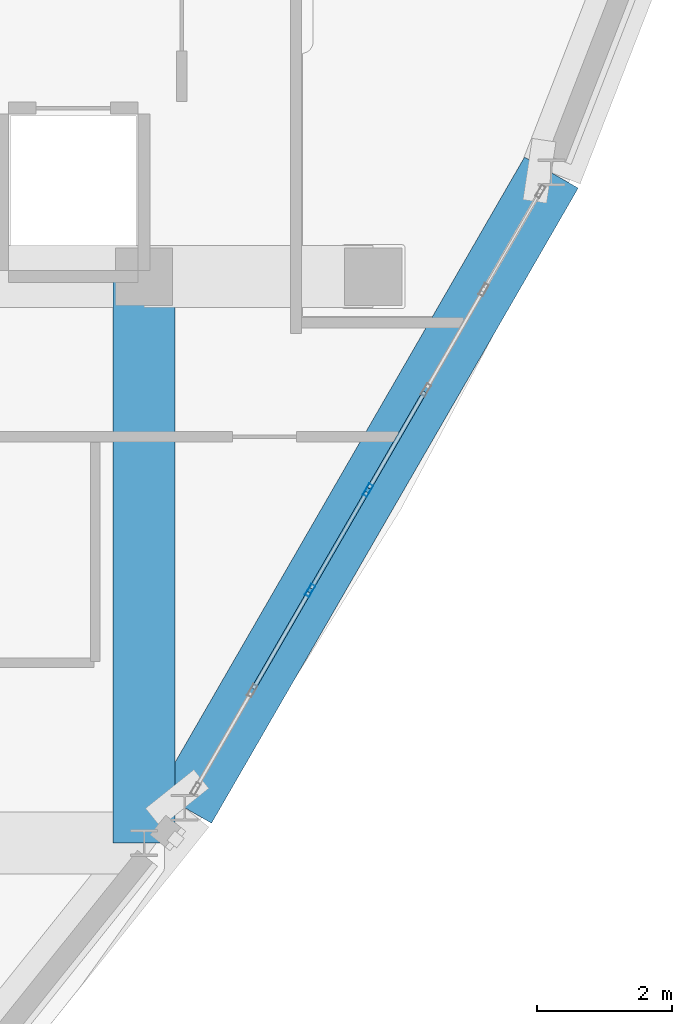
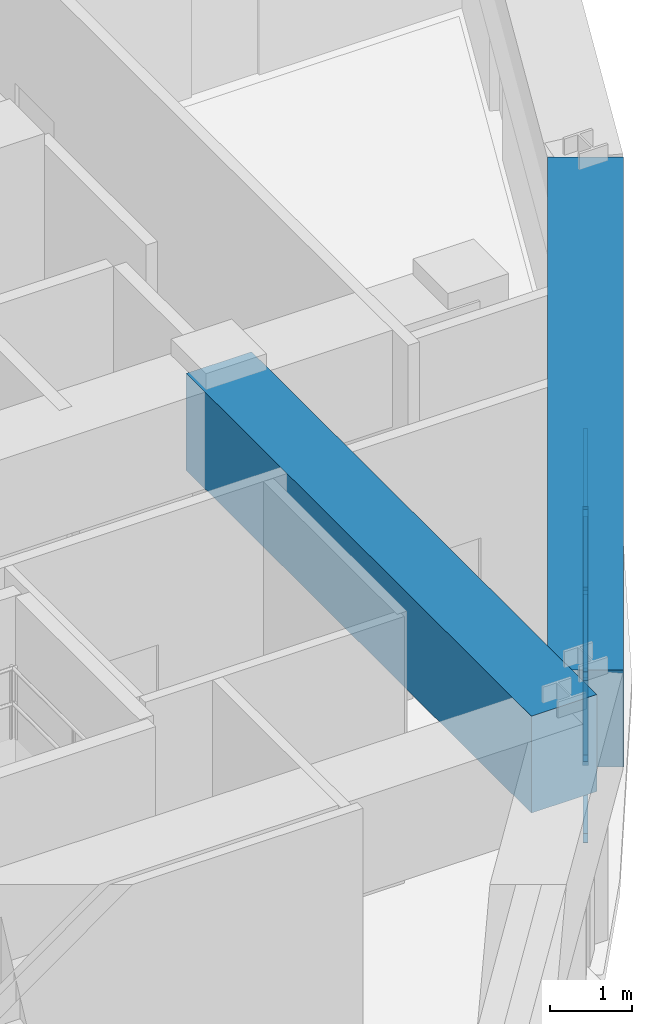
# One storey, part 4 of 16: 9 members, 2 beams, 1 element without a shape of its own.
"""IFC4 building model written with IfcOpenShell, lengths in metres."""

from ifc_helpers import new_model, si_unit, derived_unit, direction, frame, origin, origin_2d, place, context, subcontext, project, spatial, rectangle, hollow_rectangle, extrude, source, transform, mapped, material, layer, layer_set, material_profile, profile_set, type_object, element, aggregate, save


model = new_model("IFC4")

# Units and contexts
model_context = context("Model", 3, precision=1e-05, world=origin(), true_north=direction((0.0, 1.0)))
body_context = subcontext(model_context, "Body", "Model", "MODEL_VIEW")
ifc_project = project(units=[si_unit("LENGTHUNIT", "METRE"), si_unit("AREAUNIT", "SQUARE_METRE"), si_unit("VOLUMEUNIT", "CUBIC_METRE"), si_unit("PLANEANGLEUNIT", "RADIAN"), si_unit("MASSUNIT", "GRAM", prefix="KILO"), derived_unit("THERMALTRANSMITTANCEUNIT", [(si_unit("POWERUNIT", "WATT"), 1), (si_unit("LENGTHUNIT", "METRE"), -2), (si_unit("THERMODYNAMICTEMPERATUREUNIT", "KELVIN"), -1)])], contexts=[model_context])

# Site, building, storey
site_placement = place(None, origin())
site = spatial("IfcSite", under=ifc_project, at=site_placement, CompositionType="ELEMENT")
building_placement = place(site_placement, origin())
building = spatial("IfcBuilding", under=site, at=building_placement, Name="Korsvarv Bourse and Concert Hall", CompositionType="ELEMENT")
storey_placement = place(building_placement, frame((0.0, 0.0, 283.800048828125)))
storey = spatial("IfcBuildingStorey", under=building, at=storey_placement, Name="L74", CompositionType="ELEMENT", Elevation=283.800048828125)

# Beams
ifc_material_1 = material(Name="Concrete C50/60", Category="concrete")
ifc_material_profile_1 = material_profile(ifc_material_1, rectangle(XDim=0.919921875, YDim=1.43994140625, at=origin_2d()), Name="RC-BM 920x1440")
ifc_profile_set_1 = profile_set([ifc_material_profile_1], Name="Concrete C50/60")
beam_type = type_object("IfcBeamType", Name="BM-TR-144", PredefinedType="BEAM", material=ifc_profile_set_1)
shared_shape_1 = source(origin(), body_context, "Body", "SweptSolid", [
    extrude(rectangle(XDim=0.919921875, YDim=1.43994140625, at=origin_2d()), origin(), (0.0, 0.0, 1.0), 8.39990234375),
])
beam_1_placement = place(storey_placement, frame((44.39990234375, 24.0, 3.239990234375), z_axis=(0.0, 1.0, 0.0), x_axis=(-1.0, 0.0, 0.0)))
element("IfcBeam", 1, at=beam_1_placement, inside=storey, type_object=beam_type, Name="L74 beam B-TR4", PredefinedType="BEAM", context=body_context, shape_type="MappedRepresentation", body=[
    mapped(shared_shape_1, transform((0.0, 0.0, 0.0), scale=1.0)),
])
shared_shape_2 = source(origin(), body_context, "Body", "SweptSolid", [
    extrude(rectangle(XDim=0.919921875, YDim=1.43994140625, at=origin_2d()), origin(), (0.0, 0.0, 1.0), 10.8798828125),
])
beam_2_placement = place(storey_placement, frame((45.00244140625, 24.52099609375, 3.239990234375), z_axis=(0.500005403421, 0.866022284096, 0.0), x_axis=(-0.866022284096, 0.500005403421, 0.0)))
element("IfcBeam", 2, at=beam_2_placement, inside=storey, type_object=beam_type, Name="L74 beam B-TR4", PredefinedType="BEAM", context=body_context, shape_type="MappedRepresentation", body=[
    mapped(shared_shape_2, transform((0.0, 0.0, 0.0), scale=1.0)),
])

# Curtain wall, members
ifc_material_2 = material(Name="Anodised aluminium and triple low-E glazing", Category="glass")
ifc_layer = layer(ifc_material_2, 0.18994140625)
ifc_layer_set = layer_set([ifc_layer], Name="Anodised aluminium and triple low-E glazing")
curtain_wall_type = type_object("IfcCurtainWallType", Name="CW-SYS-4", PredefinedType="NOTDEFINED", material=ifc_layer_set)
curtain_wall_placement = place(storey_placement, origin())
curtain_wall = element("IfcCurtainWall", 3, at=curtain_wall_placement, inside=storey, type_object=curtain_wall_type, Name="L74 CW4 curtain wall CW-L74-F11", PredefinedType="NOTDEFINED")
ifc_material_3 = material(Name="Extruded aluminium EN AW-6063 T66", Category="aluminium")
ifc_material_profile_2 = material_profile(ifc_material_3, hollow_rectangle(XDim=0.070068359375, YDim=0.18994140625, WallThickness=0.0048828125, at=origin_2d()), Name="ALU-M 70x190")
ifc_profile_set_2 = profile_set([ifc_material_profile_2], Name="Extruded aluminium EN AW-6063 T66")
member_type_1 = type_object("IfcMemberType", Name="CWM-190", PredefinedType="MULLION", material=ifc_profile_set_2)
shared_shape_3 = source(origin(), body_context, "Body", "SweptSolid", [
    extrude(hollow_rectangle(XDim=0.070068359375, YDim=0.18994140625, WallThickness=0.0048828125, at=origin_2d()), origin(), (0.0, 0.0, 1.0), 2.52001953125),
])
member_1_placement = place(storey_placement, frame((46.86376953125, 27.744873046875, 0.0), z_axis=(0.0, 0.0, 1.0), x_axis=(-0.866027681029, 0.499996055676, 0.0)))
member_1 = element("IfcMember", 4, at=member_1_placement, type_object=member_type_1, Name="CW4 mullion 3", PredefinedType="MULLION", context=body_context, shape_type="MappedRepresentation", body=[
    mapped(shared_shape_3, transform((0.0, 0.0, 0.0), scale=1.0)),
])
member_2_placement = place(storey_placement, frame((47.722412109375, 29.23193359375, 0.0), z_axis=(0.0, 0.0, 1.0), x_axis=(-0.866027681029, 0.499996055676, 0.0)))
member_2 = element("IfcMember", 5, at=member_2_placement, type_object=member_type_1, Name="CW4 mullion 4", PredefinedType="MULLION", context=body_context, shape_type="MappedRepresentation", body=[
    mapped(shared_shape_3, transform((0.0, 0.0, 0.0), scale=1.0)),
])
ifc_material_profile_3 = material_profile(ifc_material_3, hollow_rectangle(XDim=0.06494140625, YDim=0.139892578125, WallThickness=0.00390625, at=origin_2d()), Name="ALU-T 65x140")
ifc_profile_set_3 = profile_set([ifc_material_profile_3], Name="Extruded aluminium EN AW-6063 T66")
member_type_2 = type_object("IfcMemberType", Name="CWT-140", PredefinedType="USERDEFINED", material=ifc_profile_set_3)
shared_shape_4 = source(origin(), body_context, "Body", "SweptSolid", [
    extrude(hollow_rectangle(XDim=0.06494140625, YDim=0.139892578125, WallThickness=0.00390625, at=origin_2d()), origin(), (0.0, 0.0, 1.0), 1.647216796875),
])
member_3_placement = place(storey_placement, frame((46.022705078125, 26.2880859375, 0.032470703125), z_axis=(0.500060288043, 0.865990593668, 0.0), x_axis=(-0.865990593668, 0.500060288043, 0.0)))
member_3 = element("IfcMember", 6, at=member_3_placement, type_object=member_type_2, Name="CW4 transom 2.1", ObjectType="TRANSOM", PredefinedType="USERDEFINED", context=body_context, shape_type="MappedRepresentation", body=[
    mapped(shared_shape_4, transform((0.0, 0.0, 0.0), scale=1.0)),
])
member_4_placement = place(storey_placement, frame((46.022705078125, 26.2880859375, 2.487548828125), z_axis=(0.500060288043, 0.865990593668, 0.0), x_axis=(-0.865990593668, 0.500060288043, 0.0)))
member_4 = element("IfcMember", 7, at=member_4_placement, type_object=member_type_2, Name="CW4 transom 2.2", ObjectType="TRANSOM", PredefinedType="USERDEFINED", context=body_context, shape_type="MappedRepresentation", body=[
    mapped(shared_shape_4, transform((0.0, 0.0, 0.0), scale=1.0)),
])
member_5_placement = place(storey_placement, frame((46.88134765625, 27.775146484375, 0.032470703125), z_axis=(0.499949127178, 0.86605477323, 0.0), x_axis=(-0.86605477323, 0.499949127178, 0.0)))
member_5 = element("IfcMember", 8, at=member_5_placement, type_object=member_type_2, Name="CW4 transom 3.1", ObjectType="TRANSOM", PredefinedType="USERDEFINED", context=body_context, shape_type="MappedRepresentation", body=[
    mapped(shared_shape_4, transform((0.0, 0.0, 0.0), scale=1.0)),
])
member_6_placement = place(storey_placement, frame((46.88134765625, 27.775146484375, 2.487548828125), z_axis=(0.499949127178, 0.86605477323, 0.0), x_axis=(-0.86605477323, 0.499949127178, 0.0)))
member_6 = element("IfcMember", 9, at=member_6_placement, type_object=member_type_2, Name="CW4 transom 3.2", ObjectType="TRANSOM", PredefinedType="USERDEFINED", context=body_context, shape_type="MappedRepresentation", body=[
    mapped(shared_shape_4, transform((0.0, 0.0, 0.0), scale=1.0)),
])
member_7_placement = place(storey_placement, frame((47.739990234375, 29.262451171875, 0.032470703125), z_axis=(0.499949127178, 0.86605477323, 0.0), x_axis=(-0.86605477323, 0.499949127178, 0.0)))
member_7 = element("IfcMember", 10, at=member_7_placement, type_object=member_type_2, Name="CW4 transom 4.1", ObjectType="TRANSOM", PredefinedType="USERDEFINED", context=body_context, shape_type="MappedRepresentation", body=[
    mapped(shared_shape_4, transform((0.0, 0.0, 0.0), scale=1.0)),
])
member_8_placement = place(storey_placement, frame((47.739990234375, 29.262451171875, 2.487548828125), z_axis=(0.499949127178, 0.86605477323, 0.0), x_axis=(-0.86605477323, 0.499949127178, 0.0)))
member_8 = element("IfcMember", 11, at=member_8_placement, type_object=member_type_2, Name="CW4 transom 4.2", ObjectType="TRANSOM", PredefinedType="USERDEFINED", context=body_context, shape_type="MappedRepresentation", body=[
    mapped(shared_shape_4, transform((0.0, 0.0, 0.0), scale=1.0)),
])
ifc_material_profile_4 = material_profile(ifc_material_3, hollow_rectangle(XDim=0.06494140625, YDim=0.1650390625, WallThickness=0.0048828125, at=origin_2d()), Name="ALU-M 65x165")
ifc_profile_set_4 = profile_set([ifc_material_profile_4], Name="Extruded aluminium EN AW-6063 T66")
member_type_3 = type_object("IfcMemberType", Name="CWM-165", PredefinedType="MULLION", material=ifc_profile_set_4)
shared_shape_5 = source(origin(), body_context, "Body", "SweptSolid", [
    extrude(hollow_rectangle(XDim=0.06494140625, YDim=0.1650390625, WallThickness=0.0048828125, at=origin_2d()), origin(), (0.0, 0.0, 1.0), 2.902587890625),
])
member_9_placement = place(storey_placement, frame((46.88134765625, 27.775146484375, 0.06494140625), z_axis=(0.28371367263, 0.491473166076, 0.82338367666), x_axis=(-0.86605477323, 0.499949127178, 0.0)))
member_9 = element("IfcMember", 12, at=member_9_placement, type_object=member_type_3, Name="CW4 diagonal mullion 3", PredefinedType="MULLION", context=body_context, shape_type="MappedRepresentation", body=[
    mapped(shared_shape_5, transform((0.0, 0.0, 0.0), scale=1.0)),
])
aggregate(curtain_wall, [member_1, member_2, member_3, member_4, member_5, member_6, member_9, member_7, member_8])

save(model, "model.ifc")
